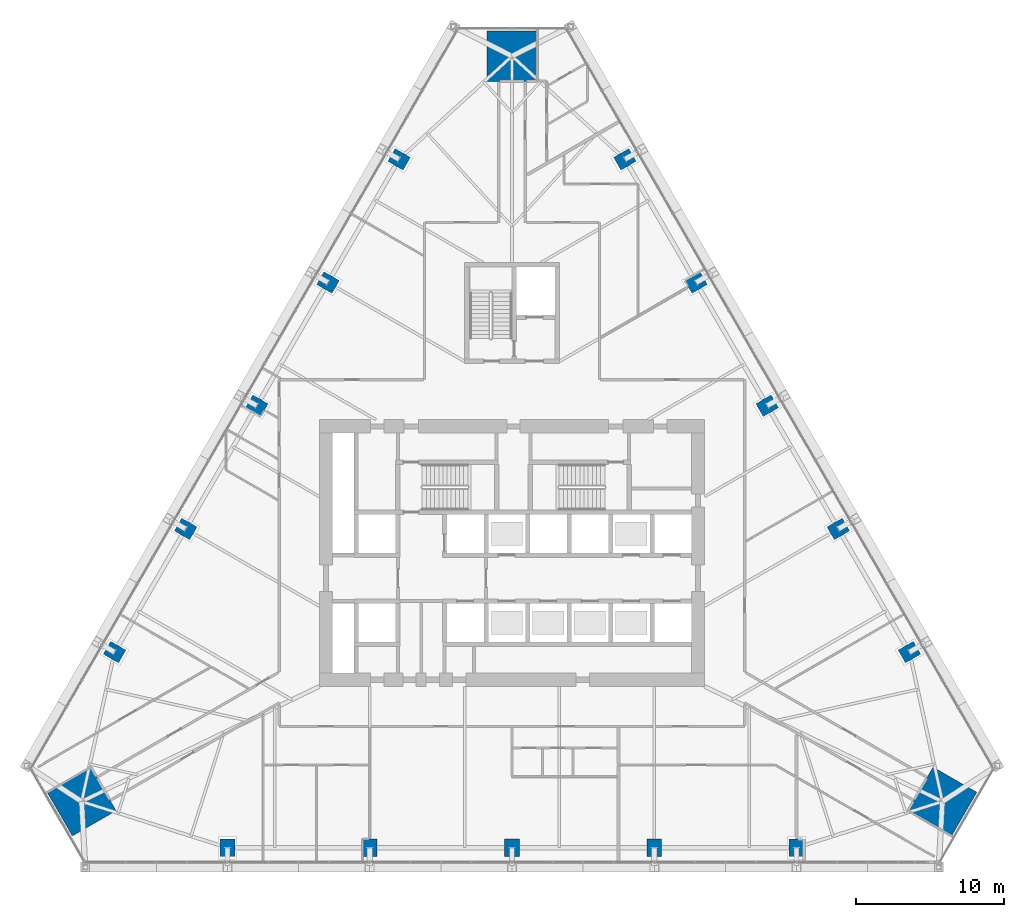
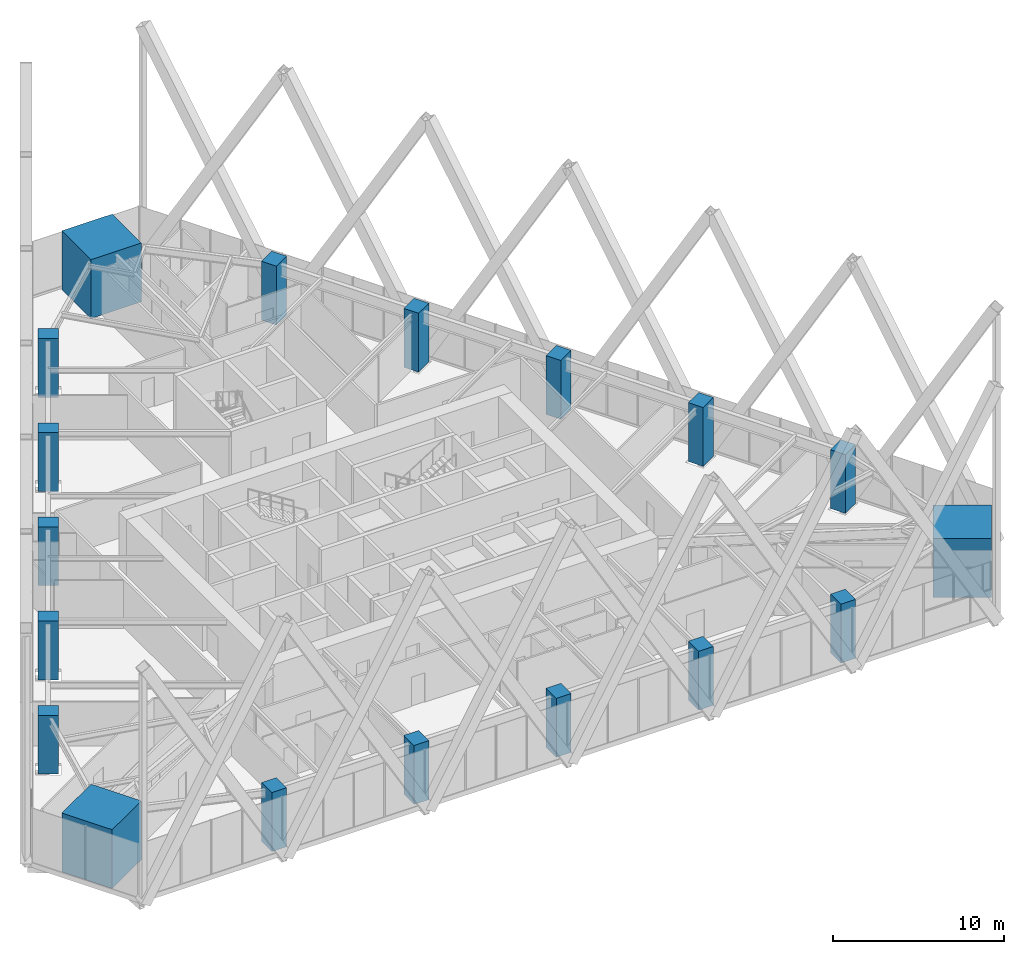
# One storey, part 1 of 26: 18 columns.
"""IFC4 building model written with IfcOpenShell, lengths in metres."""

from ifc_helpers import new_model, si_unit, direction, frame, origin, origin_2d, place, context, subcontext, project, spatial, rectangle, extrude, material, material_profile, profile_set, type_object, element, save


model = new_model("IFC4")

# Units and contexts
model_context = context("Model", 3, precision=1e-05, world=origin(), true_north=direction((0.0, 1.0)))
body_context = subcontext(model_context, "Body", "Model", "MODEL_VIEW")
ifc_project = project(units=[si_unit("LENGTHUNIT", "METRE"), si_unit("AREAUNIT", "SQUARE_METRE"), si_unit("VOLUMEUNIT", "CUBIC_METRE"), si_unit("PLANEANGLEUNIT", "RADIAN"), si_unit("MASSUNIT", "GRAM", prefix="KILO")], contexts=[model_context])

# Site, building, storey
site_placement = place(None, origin())
site = spatial("IfcSite", under=ifc_project, at=site_placement, CompositionType="ELEMENT")
building_placement = place(site_placement, origin())
building = spatial("IfcBuilding", under=site, at=building_placement, Name="Firuza Gate Tower and Library", CompositionType="ELEMENT")
storey_placement = place(building_placement, frame((0.0, 0.0, 40.0)))
storey = spatial("IfcBuildingStorey", under=building, at=storey_placement, Name="L08", CompositionType="ELEMENT", Elevation=40.0)

# Columns
ifc_material_1 = material(Name="Concrete C80/95", Category="concrete")
ifc_material_profile_1 = material_profile(ifc_material_1, rectangle(XDim=3.39990234375, YDim=3.39990234375, at=origin_2d()))
ifc_profile_set_1 = profile_set([ifc_material_profile_1], Name="Concrete C80/95")
column_type_1 = type_object("IfcColumnType", Name="Mega column 3400x3400 C80/95", PredefinedType="COLUMN", material=ifc_profile_set_1)
for number, where, z_axis, x_axis, name in (
    (1, (104.041259765625, 58.233154296875, 0.0), (0.0, 0.0, 1.0), (0.5, 0.866025403784, 0.0), "Mega column SE L08"),
    (2, (75.0, 108.533935546875, 0.0), (0.0, 0.0, 1.0), (-1.0, 0.0, 0.0), "Mega column N L08"),
    (3, (45.958740234375, 58.233154296875, 0.0), (0.0, 0.0, 1.0), (0.5, -0.866025403784, 0.0), "Mega column SW L08"),
):
    element("IfcColumn", number, at=place(storey_placement, frame(where, z_axis=z_axis, x_axis=x_axis)), inside=storey, type_object=column_type_1, Name=name, PredefinedType="COLUMN", context=body_context, shape_type="SweptSolid", body=[
        extrude(rectangle(XDim=3.39990234375, YDim=3.39990234375, at=origin_2d()), origin(), (0.0, 0.0, 1.0), 4.199951171875),
    ])
ifc_material_2 = material(Name="Concrete C60/75", Category="concrete")
ifc_material_profile_2 = material_profile(ifc_material_2, rectangle(XDim=1.0, YDim=1.199951171875, at=origin_2d()))
ifc_profile_set_2 = profile_set([ifc_material_profile_2], Name="Concrete C60/75")
column_type_2 = type_object("IfcColumnType", Name="Perimeter column 1000x1200 C60/75", PredefinedType="COLUMN", material=ifc_profile_set_2)
for number, where, z_axis, x_axis, name in (
    (4, (55.800048828125, 55.115478515625, -0.00048828125), (0.0, 0.0, 1.0), (1.0, 0.0, 0.0), "Column S1 L08"),
    (5, (65.39990234375, 55.115478515625, -0.00048828125), (0.0, 0.0, 1.0), (1.0, 0.0, 0.0), "Column S2 L08"),
    (6, (75.0, 55.115478515625, -0.00048828125), (0.0, 0.0, 1.0), (1.0, 0.0, 0.0), "Column S3 L08"),
    (7, (84.60009765625, 55.115478515625, -0.00048828125), (0.0, 0.0, 1.0), (1.0, 0.0, 0.0), "Column S4 L08"),
    (8, (94.199951171875, 55.115478515625, -0.00048828125), (0.0, 0.0, 1.0), (1.0, 0.0, 0.0), "Column S5 L08"),
    (9, (101.820556640625, 68.314697265625, -0.00048828125), (0.0, 0.0, 1.0), (-0.5, 0.866025403784, 0.0), "Column E1 L08"),
    (10, (97.0205078125, 76.62841796875, -0.00048828125), (0.0, 0.0, 1.0), (-0.5, 0.866025403784, 0.0), "Column E2 L08"),
    (11, (92.220458984375, 84.9423828125, -0.00048828125), (0.0, 0.0, 1.0), (-0.5, 0.866025403784, 0.0), "Column E3 L08"),
    (12, (87.420654296875, 93.256103515625, -0.00048828125), (0.0, 0.0, 1.0), (-0.5, 0.866025403784, 0.0), "Column E4 L08"),
    (13, (82.62060546875, 101.570068359375, -0.00048828125), (0.0, 0.0, 1.0), (-0.5, 0.866025403784, 0.0), "Column E5 L08"),
    (14, (67.37939453125, 101.570068359375, -0.00048828125), (0.0, 0.0, 1.0), (-0.5, -0.866025403784, 0.0), "Column W1 L08"),
    (15, (62.579345703125, 93.256103515625, -0.00048828125), (0.0, 0.0, 1.0), (-0.5, -0.866025403784, 0.0), "Column W2 L08"),
    (16, (57.779541015625, 84.9423828125, -0.00048828125), (0.0, 0.0, 1.0), (-0.5, -0.866025403784, 0.0), "Column W3 L08"),
    (17, (52.9794921875, 76.62841796875, -0.00048828125), (0.0, 0.0, 1.0), (-0.5, -0.866025403784, 0.0), "Column W4 L08"),
    (18, (48.179443359375, 68.314697265625, -0.00048828125), (0.0, 0.0, 1.0), (-0.5, -0.866025403784, 0.0), "Column W5 L08"),
):
    element("IfcColumn", number, at=place(storey_placement, frame(where, z_axis=z_axis, x_axis=x_axis)), inside=storey, type_object=column_type_2, Name=name, PredefinedType="COLUMN", context=body_context, shape_type="SweptSolid", body=[
        extrude(rectangle(XDim=1.0, YDim=1.199951171875, at=origin_2d()), origin(), (0.0, 0.0, 1.0), 4.200439453125),
    ])

save(model, "model.ifc")
